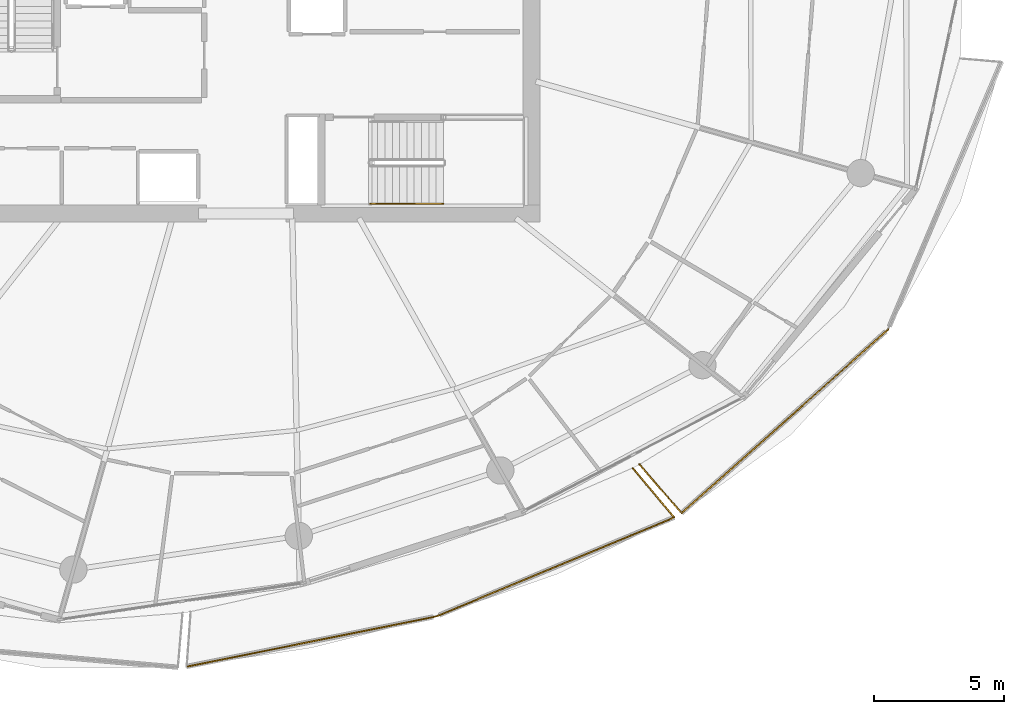
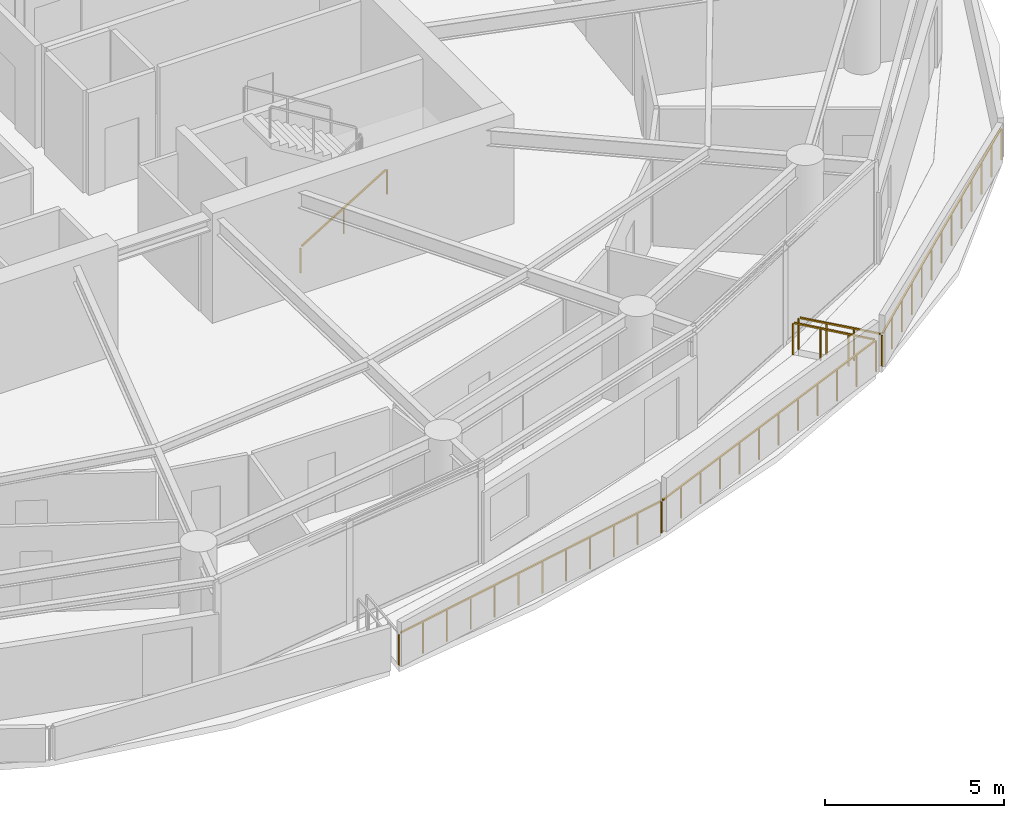
# One storey, part 19 of 21: 6 railings.
"""IFC4 building model written with IfcOpenShell, lengths in metres."""

from ifc_helpers import new_model, si_unit, direction, frame, origin, origin_2d, place, context, subcontext, project, spatial, rectangle, extrude, material, type_object, element, save


model = new_model("IFC4")

# Units and contexts
model_context = context("Model", 3, precision=1e-05, world=origin(), true_north=direction((0.0, 1.0)))
body_context = subcontext(model_context, "Body", "Model", "MODEL_VIEW")
ifc_project = project(units=[si_unit("LENGTHUNIT", "METRE"), si_unit("AREAUNIT", "SQUARE_METRE"), si_unit("VOLUMEUNIT", "CUBIC_METRE"), si_unit("PLANEANGLEUNIT", "RADIAN"), si_unit("MASSUNIT", "GRAM", prefix="KILO")], contexts=[model_context])

# Site, building, storey
site_placement = place(None, origin())
site = spatial("IfcSite", under=ifc_project, at=site_placement, CompositionType="ELEMENT")
building_placement = place(site_placement, origin())
building = spatial("IfcBuilding", under=site, at=building_placement, Name="Kazma Halo Residences", CompositionType="ELEMENT")
storey_placement = place(building_placement, frame((0.0, 0.0, 195.300048828125)))
storey = spatial("IfcBuildingStorey", under=building, at=storey_placement, Name="L49", CompositionType="ELEMENT", Elevation=195.300048828125)

# Railings
ifc_material_1 = material(Name="Aluminium AW-6063 T6 Brushed Cap Rail", Category="aluminium")
railing_type_1 = type_object("IfcRailingType", Name="RLG-BAL-CAP-1120", PredefinedType="BALUSTRADE", material=ifc_material_1)
railing_1_placement = place(storey_placement, frame((46.1337890625, 16.279296875, 0.0)))
element("IfcRailing", 1, at=railing_1_placement, inside=storey, type_object=railing_type_1, Name="L49 SSE wave balcony guard 2", PredefinedType="BALUSTRADE", context=body_context, shape_type="SweptSolid", body=[
    extrude(rectangle(XDim=0.050048828125, YDim=0.050048828125, at=origin_2d()), frame((0.041748046875, 0.00830078125, 1.09521484375), z_axis=(0.980370024715, 0.19716646429, 0.0), x_axis=(-0.19716646429, 0.980370024715, 0.0)), (0.0, 0.0, 1.0), 9.703369140625),
    extrude(rectangle(XDim=0.0400390625, YDim=0.0400390625, at=origin_2d()), origin(), (0.0, 0.0, 1.0), 1.05810546875),
    extrude(rectangle(XDim=0.0400390625, YDim=0.0400390625, at=origin_2d()), frame((0.872314453125, 0.175537109375, 0.0)), (0.0, 0.0, 1.0), 1.05810546875),
    extrude(rectangle(XDim=0.0400390625, YDim=0.0400390625, at=origin_2d()), frame((1.744873046875, 0.350830078125, 0.0)), (0.0, 0.0, 1.0), 1.05810546875),
    extrude(rectangle(XDim=0.0400390625, YDim=0.0400390625, at=origin_2d()), frame((2.6171875, 0.5263671875, 0.0)), (0.0, 0.0, 1.0), 1.05810546875),
    extrude(rectangle(XDim=0.0400390625, YDim=0.0400390625, at=origin_2d()), frame((3.489501953125, 0.701904296875, 0.0)), (0.0, 0.0, 1.0), 1.05810546875),
    extrude(rectangle(XDim=0.0400390625, YDim=0.0400390625, at=origin_2d()), frame((4.36181640625, 0.877197265625, 0.0)), (0.0, 0.0, 1.0), 1.05810546875),
    extrude(rectangle(XDim=0.0400390625, YDim=0.0400390625, at=origin_2d()), frame((5.234375, 1.052734375, 0.0)), (0.0, 0.0, 1.0), 1.05810546875),
    extrude(rectangle(XDim=0.0400390625, YDim=0.0400390625, at=origin_2d()), frame((6.106689453125, 1.22802734375, 0.0)), (0.0, 0.0, 1.0), 1.05810546875),
    extrude(rectangle(XDim=0.0400390625, YDim=0.0400390625, at=origin_2d()), frame((6.97900390625, 1.403564453125, 0.0)), (0.0, 0.0, 1.0), 1.05810546875),
    extrude(rectangle(XDim=0.0400390625, YDim=0.0400390625, at=origin_2d()), frame((7.851318359375, 1.5791015625, 0.0)), (0.0, 0.0, 1.0), 1.05810546875),
    extrude(rectangle(XDim=0.0400390625, YDim=0.0400390625, at=origin_2d()), frame((8.723876953125, 1.75439453125, 0.0)), (0.0, 0.0, 1.0), 1.05810546875),
    extrude(rectangle(XDim=0.0400390625, YDim=0.0400390625, at=origin_2d()), frame((9.59619140625, 1.929931640625, 0.0)), (0.0, 0.0, 1.0), 1.05810546875),
])
railing_2_placement = place(storey_placement, frame((55.72998046875, 18.209228515625, 0.0)))
element("IfcRailing", 2, at=railing_2_placement, inside=storey, type_object=railing_type_1, Name="L49 SSE wave balcony guard 3", PredefinedType="BALUSTRADE", context=body_context, shape_type="SweptSolid", body=[
    extrude(rectangle(XDim=0.050048828125, YDim=0.050048828125, at=origin_2d()), frame((0.039306640625, 0.016357421875, 1.09521484375), z_axis=(0.923265195377, 0.384163219226, 0.0), x_axis=(-0.384163219226, 0.923265195377, 0.0)), (0.0, 0.0, 1.0), 9.807373046875),
    extrude(rectangle(XDim=0.0400390625, YDim=0.0400390625, at=origin_2d()), origin(), (0.0, 0.0, 1.0), 1.05810546875),
    extrude(rectangle(XDim=0.0400390625, YDim=0.0400390625, at=origin_2d()), frame((0.830322265625, 0.345458984375, 0.0)), (0.0, 0.0, 1.0), 1.05810546875),
    extrude(rectangle(XDim=0.0400390625, YDim=0.0400390625, at=origin_2d()), frame((1.66064453125, 0.69091796875, 0.0)), (0.0, 0.0, 1.0), 1.05810546875),
    extrude(rectangle(XDim=0.0400390625, YDim=0.0400390625, at=origin_2d()), frame((2.490966796875, 1.036376953125, 0.0)), (0.0, 0.0, 1.0), 1.05810546875),
    extrude(rectangle(XDim=0.0400390625, YDim=0.0400390625, at=origin_2d()), frame((3.3212890625, 1.3818359375, 0.0)), (0.0, 0.0, 1.0), 1.05810546875),
    extrude(rectangle(XDim=0.0400390625, YDim=0.0400390625, at=origin_2d()), frame((4.151611328125, 1.727294921875, 0.0)), (0.0, 0.0, 1.0), 1.05810546875),
    extrude(rectangle(XDim=0.0400390625, YDim=0.0400390625, at=origin_2d()), frame((4.981689453125, 2.072998046875, 0.0)), (0.0, 0.0, 1.0), 1.05810546875),
    extrude(rectangle(XDim=0.0400390625, YDim=0.0400390625, at=origin_2d()), frame((5.81201171875, 2.41845703125, 0.0)), (0.0, 0.0, 1.0), 1.05810546875),
    extrude(rectangle(XDim=0.0400390625, YDim=0.0400390625, at=origin_2d()), frame((6.642333984375, 2.763916015625, 0.0)), (0.0, 0.0, 1.0), 1.05810546875),
    extrude(rectangle(XDim=0.0400390625, YDim=0.0400390625, at=origin_2d()), frame((7.47265625, 3.109375, 0.0)), (0.0, 0.0, 1.0), 1.05810546875),
    extrude(rectangle(XDim=0.0400390625, YDim=0.0400390625, at=origin_2d()), frame((8.302978515625, 3.454833984375, 0.0)), (0.0, 0.0, 1.0), 1.05810546875),
    extrude(rectangle(XDim=0.0400390625, YDim=0.0400390625, at=origin_2d()), frame((9.13330078125, 3.80029296875, 0.0)), (0.0, 0.0, 1.0), 1.05810546875),
])
railing_3_placement = place(storey_placement, frame((64.86328125, 22.009521484375, 0.0)))
element("IfcRailing", 3, at=railing_3_placement, inside=storey, type_object=railing_type_1, Name="L49 SSE wave balcony guard 4", PredefinedType="BALUSTRADE", context=body_context, shape_type="SweptSolid", body=[
    extrude(rectangle(XDim=0.050048828125, YDim=0.050048828125, at=origin_2d()), frame((-0.02734375, 0.032470703125, 1.09521484375), z_axis=(-0.644745092469, 0.764397648961, 0.0), x_axis=(-0.764397648961, -0.644745092469, 0.0)), (0.0, 0.0, 1.0), 2.39404296875),
    extrude(rectangle(XDim=0.0400390625, YDim=0.0400390625, at=origin_2d()), origin(), (0.0, 0.0, 1.0), 1.05810546875),
    extrude(rectangle(XDim=0.0400390625, YDim=0.0400390625, at=origin_2d()), frame((-0.53271484375, 0.631591796875, 0.0)), (0.0, 0.0, 1.0), 1.05810546875),
    extrude(rectangle(XDim=0.0400390625, YDim=0.0400390625, at=origin_2d()), frame((-1.065673828125, 1.263427734375, 0.0)), (0.0, 0.0, 1.0), 1.05810546875),
    extrude(rectangle(XDim=0.0400390625, YDim=0.0400390625, at=origin_2d()), frame((-1.598388671875, 1.89501953125, 0.0)), (0.0, 0.0, 1.0), 1.05810546875),
])
railing_4_placement = place(storey_placement, frame((63.528564453125, 24.041748046875, 0.0)))
element("IfcRailing", 4, at=railing_4_placement, inside=storey, type_object=railing_type_1, Name="L49 SE wave balcony guard 1", PredefinedType="BALUSTRADE", context=body_context, shape_type="SweptSolid", body=[
    extrude(rectangle(XDim=0.050048828125, YDim=0.050048828125, at=origin_2d()), frame((0.02783203125, -0.0322265625, 1.09521484375), z_axis=(0.654106085703, -0.756402821681, 0.0), x_axis=(0.756402821681, 0.654106085703, 0.0)), (0.0, 0.0, 1.0), 2.385009765625),
    extrude(rectangle(XDim=0.0400390625, YDim=0.0400390625, at=origin_2d()), origin(), (0.0, 0.0, 1.0), 1.05810546875),
    extrude(rectangle(XDim=0.0400390625, YDim=0.0400390625, at=origin_2d()), frame((0.53857421875, -0.622802734375, 0.0)), (0.0, 0.0, 1.0), 1.05810546875),
    extrude(rectangle(XDim=0.0400390625, YDim=0.0400390625, at=origin_2d()), frame((1.0771484375, -1.24560546875, 0.0)), (0.0, 0.0, 1.0), 1.05810546875),
    extrude(rectangle(XDim=0.0400390625, YDim=0.0400390625, at=origin_2d()), frame((1.61572265625, -1.868408203125, 0.0)), (0.0, 0.0, 1.0), 1.05810546875),
])
railing_5_placement = place(storey_placement, frame((65.144287109375, 22.17333984375, 0.0)))
element("IfcRailing", 5, at=railing_5_placement, inside=storey, type_object=railing_type_1, Name="L49 SE wave balcony guard 2", PredefinedType="BALUSTRADE", context=body_context, shape_type="SweptSolid", body=[
    extrude(rectangle(XDim=0.050048828125, YDim=0.050048828125, at=origin_2d()), frame((0.03173828125, 0.0283203125, 1.09521484375), z_axis=(0.747307756324, 0.664478078899, 0.0), x_axis=(-0.664478078899, 0.747307756324, 0.0)), (0.0, 0.0, 1.0), 10.52587890625),
    extrude(rectangle(XDim=0.0400390625, YDim=0.0400390625, at=origin_2d()), origin(), (0.0, 0.0, 1.0), 1.05810546875),
    extrude(rectangle(XDim=0.0400390625, YDim=0.0400390625, at=origin_2d()), frame((0.660888671875, 0.587646484375, 0.0)), (0.0, 0.0, 1.0), 1.05810546875),
    extrude(rectangle(XDim=0.0400390625, YDim=0.0400390625, at=origin_2d()), frame((1.321533203125, 1.175048828125, 0.0)), (0.0, 0.0, 1.0), 1.05810546875),
    extrude(rectangle(XDim=0.0400390625, YDim=0.0400390625, at=origin_2d()), frame((1.982421875, 1.7626953125, 0.0)), (0.0, 0.0, 1.0), 1.05810546875),
    extrude(rectangle(XDim=0.0400390625, YDim=0.0400390625, at=origin_2d()), frame((2.643310546875, 2.350341796875, 0.0)), (0.0, 0.0, 1.0), 1.05810546875),
    extrude(rectangle(XDim=0.0400390625, YDim=0.0400390625, at=origin_2d()), frame((3.303955078125, 2.937744140625, 0.0)), (0.0, 0.0, 1.0), 1.05810546875),
    extrude(rectangle(XDim=0.0400390625, YDim=0.0400390625, at=origin_2d()), frame((3.96484375, 3.525390625, 0.0)), (0.0, 0.0, 1.0), 1.05810546875),
    extrude(rectangle(XDim=0.0400390625, YDim=0.0400390625, at=origin_2d()), frame((4.625732421875, 4.113037109375, 0.0)), (0.0, 0.0, 1.0), 1.05810546875),
    extrude(rectangle(XDim=0.0400390625, YDim=0.0400390625, at=origin_2d()), frame((5.286376953125, 4.700439453125, 0.0)), (0.0, 0.0, 1.0), 1.05810546875),
    extrude(rectangle(XDim=0.0400390625, YDim=0.0400390625, at=origin_2d()), frame((5.947265625, 5.2880859375, 0.0)), (0.0, 0.0, 1.0), 1.05810546875),
    extrude(rectangle(XDim=0.0400390625, YDim=0.0400390625, at=origin_2d()), frame((6.608154296875, 5.875732421875, 0.0)), (0.0, 0.0, 1.0), 1.05810546875),
    extrude(rectangle(XDim=0.0400390625, YDim=0.0400390625, at=origin_2d()), frame((7.268798828125, 6.463134765625, 0.0)), (0.0, 0.0, 1.0), 1.05810546875),
    extrude(rectangle(XDim=0.0400390625, YDim=0.0400390625, at=origin_2d()), frame((7.9296875, 7.05078125, 0.0)), (0.0, 0.0, 1.0), 1.05810546875),
])
ifc_material_2 = material(Name="Brushed Stainless Steel", Category="steel")
railing_type_2 = type_object("IfcRailingType", Name="RLG-STAIR-HND-900", PredefinedType="HANDRAIL", material=ifc_material_2)
railing_6_placement = place(storey_placement, frame((53.199951171875, 34.050048828125, 0.17041015625)))
element("IfcRailing", 6, at=railing_6_placement, inside=storey, type_object=railing_type_2, Name="L49 ST-03 stair handrail 1", PredefinedType="HANDRAIL", context=body_context, shape_type="SweptSolid", body=[
    extrude(rectangle(XDim=0.050048828125, YDim=0.050048828125, at=origin_2d()), frame((0.036376953125, 0.0, 0.89697265625), z_axis=(0.854169791009, 0.0, 0.51999420009), x_axis=(0.0, 1.0, 0.0)), (0.0, 0.0, 1.0), 3.193115234375),
    extrude(rectangle(XDim=0.0400390625, YDim=0.0400390625, at=origin_2d()), origin(), (0.0, 0.0, 1.0), 0.837890625),
    extrude(rectangle(XDim=0.0400390625, YDim=0.0400390625, at=origin_2d()), frame((1.39990234375, 0.0, 0.852294921875)), (0.0, 0.0, 1.0), 0.837890625),
    extrude(rectangle(XDim=0.0400390625, YDim=0.0400390625, at=origin_2d()), frame((2.800048828125, 0.0, 1.70458984375)), (0.0, 0.0, 1.0), 0.837890625),
])

save(model, "model.ifc")
